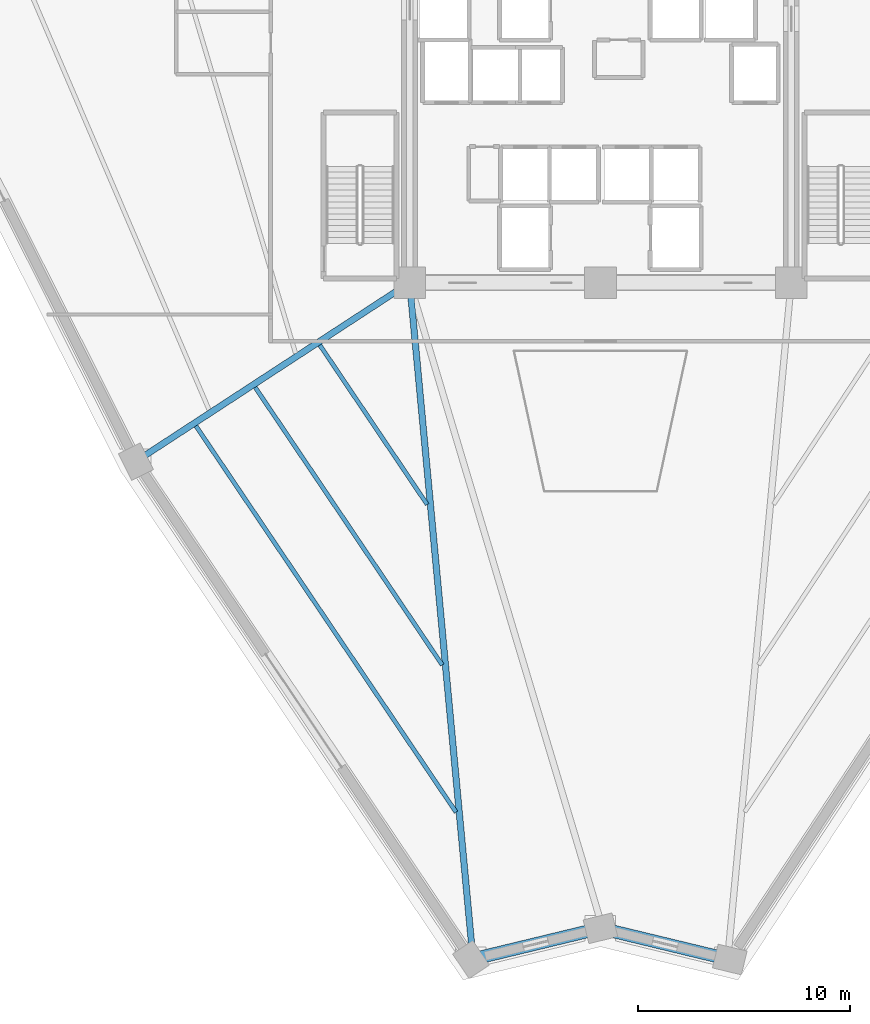
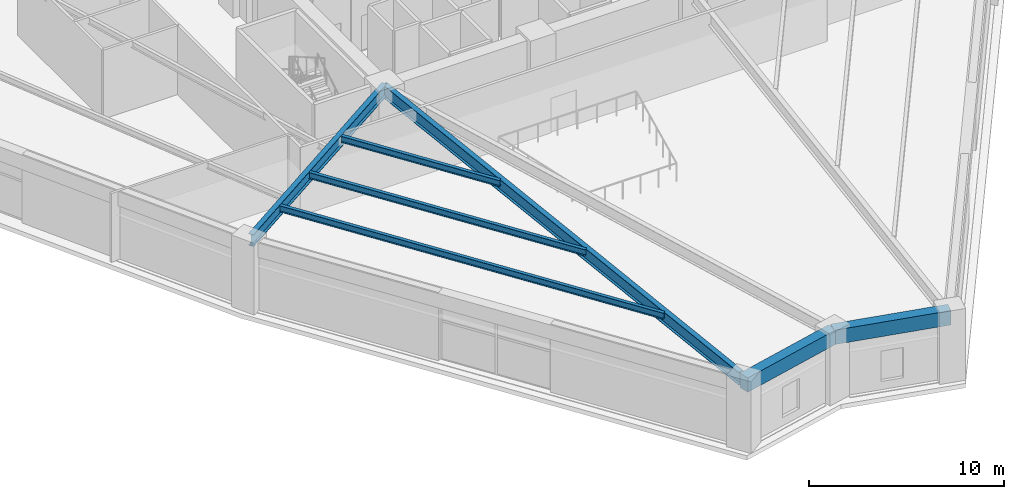
# One storey, part 3 of 30: 7 beams.
"""IFC4 building model written with IfcOpenShell, lengths in metres."""

from ifc_helpers import new_model, si_unit, direction, frame, origin, origin_2d, place, context, subcontext, project, spatial, rectangle, i_section, extrude, source, transform, mapped, material, material_profile, profile_set, type_object, element, save


model = new_model("IFC4")

# Units and contexts
model_context = context("Model", 3, precision=1e-05, world=origin(), true_north=direction((0.0, 1.0)))
body_context = subcontext(model_context, "Body", "Model", "MODEL_VIEW")
ifc_project = project(units=[si_unit("LENGTHUNIT", "METRE"), si_unit("AREAUNIT", "SQUARE_METRE"), si_unit("VOLUMEUNIT", "CUBIC_METRE"), si_unit("PLANEANGLEUNIT", "RADIAN"), si_unit("MASSUNIT", "GRAM", prefix="KILO")], contexts=[model_context])

# Site, building, storey
site_placement = place(None, origin())
site = spatial("IfcSite", under=ifc_project, at=site_placement, CompositionType="ELEMENT")
building_placement = place(site_placement, origin())
building = spatial("IfcBuilding", under=site, at=building_placement, Name="Liaohun Quay Tower", CompositionType="ELEMENT")
storey_placement = place(building_placement, frame((0.0, 0.0, 97.5)))
storey = spatial("IfcBuildingStorey", under=building, at=storey_placement, Name="L25", CompositionType="ELEMENT", Elevation=97.5)

# Beams
ifc_material_1 = material(Name="Precast concrete C55", Category="concrete")
ifc_material_profile_1 = material_profile(ifc_material_1, rectangle(XDim=0.60009765625, YDim=0.89990234375, at=origin_2d()), Name="RC600x900")
ifc_profile_set_1 = profile_set([ifc_material_profile_1], Name="Precast concrete C55")
beam_type_1 = type_object("IfcBeamType", Name="BM-SPD-Z2", PredefinedType="SPANDREL", material=ifc_profile_set_1)
shared_shape_1 = source(origin(), body_context, "Body", "SweptSolid", [
    extrude(rectangle(XDim=0.60009765625, YDim=0.89990234375, at=origin_2d()), origin(), (0.0, 0.0, 1.0), 6.2763671875),
])
beam_1_placement = place(storey_placement, frame((66.10107421875, 14.570068359375, 3.8701171875), z_axis=(-0.972073947499, 0.234674754912, 0.0), x_axis=(-0.234674754912, -0.972073947499, 0.0)))
element("IfcBeam", 1, at=beam_1_placement, inside=storey, type_object=beam_type_1, Name="L25 Precast Spandrel Beam PC11-PC12", PredefinedType="SPANDREL", context=body_context, shape_type="MappedRepresentation", body=[
    mapped(shared_shape_1, transform((0.0, 0.0, 0.0), x_axis=(1.0, 0.0, 0.0), y_axis=(0.0, 1.0, 0.0), z_axis=(0.0, 0.0, 1.0), scale=1.0)),
])
shared_shape_2 = source(origin(), body_context, "Body", "SweptSolid", [
    extrude(rectangle(XDim=0.60009765625, YDim=0.89990234375, at=origin_2d()), origin(), (0.0, 0.0, 1.0), 6.283447265625),
])
beam_2_placement = place(storey_placement, frame((60.0, 16.04296875, 3.8701171875), z_axis=(-0.972062952657, -0.234720293269, 0.0), x_axis=(0.234720293269, -0.972062952657, 0.0)))
element("IfcBeam", 2, at=beam_2_placement, inside=storey, type_object=beam_type_1, Name="L25 Precast Spandrel Beam PC12-PC01", PredefinedType="SPANDREL", context=body_context, shape_type="MappedRepresentation", body=[
    mapped(shared_shape_2, transform((0.0, 0.0, 0.0), x_axis=(1.0, 0.0, 0.0), y_axis=(0.0, 1.0, 0.0), z_axis=(0.0, 0.0, 1.0), scale=1.0)),
])
ifc_material_2 = material(Name="Steel Q355D", Category="steel")
ifc_material_profile_2 = material_profile(ifc_material_2, i_section(OverallWidth=0.300048828125, OverallDepth=0.800048828125, WebThickness=0.013916015625, FlangeThickness=0.02587890625, at=origin_2d()), Name="HN800x300x14x26")
ifc_profile_set_2 = profile_set([ifc_material_profile_2], Name="Steel Q355D")
beam_type_2 = type_object("IfcBeamType", Name="BM-RAD-M1", PredefinedType="BEAM", material=ifc_profile_set_2)
shared_shape_3 = source(origin(), body_context, "Body", "SweptSolid", [
    extrude(i_section(OverallWidth=0.300048828125, OverallDepth=0.800048828125, WebThickness=0.013916015625, FlangeThickness=0.02587890625, at=origin_2d()), origin(), (0.0, 0.0, 1.0), 31.68701171875),
])
beam_3_placement = place(storey_placement, frame((51.0, 46.5, 3.919921875), z_axis=(0.093227337297, -0.995644848116, 0.0), x_axis=(0.995644848116, 0.093227337297, 0.0)))
element("IfcBeam", 3, at=beam_3_placement, inside=storey, type_object=beam_type_2, Name="L25 Radial Primary Girder CC1-PC01", PredefinedType="BEAM", context=body_context, shape_type="MappedRepresentation", body=[
    mapped(shared_shape_3, transform((0.0, 0.0, 0.0), x_axis=(1.0, 0.0, 0.0), y_axis=(0.0, 1.0, 0.0), z_axis=(0.0, 0.0, 1.0), scale=1.0)),
])
ifc_material_profile_3 = material_profile(ifc_material_2, i_section(OverallWidth=0.300048828125, OverallDepth=0.75, WebThickness=0.013916015625, FlangeThickness=0.02587890625, at=origin_2d()), Name="HN750x300x14x26")
ifc_profile_set_3 = profile_set([ifc_material_profile_3], Name="Steel Q355D")
beam_type_3 = type_object("IfcBeamType", Name="BM-RAD-M2", PredefinedType="BEAM", material=ifc_profile_set_3)
shared_shape_4 = source(origin(), body_context, "Body", "SweptSolid", [
    extrude(i_section(OverallWidth=0.300048828125, OverallDepth=0.75, WebThickness=0.013916015625, FlangeThickness=0.02587890625, at=origin_2d()), origin(), (0.0, 0.0, 1.0), 15.175537109375),
])
beam_4_placement = place(storey_placement, frame((51.0, 46.5, 3.945068359375), z_axis=(-0.837396741296, -0.546595552184, 0.0), x_axis=(0.546595552184, -0.837396741296, 0.0)))
element("IfcBeam", 4, at=beam_4_placement, inside=storey, type_object=beam_type_3, Name="L25 Radial Primary Girder CC1-PC02", PredefinedType="BEAM", context=body_context, shape_type="MappedRepresentation", body=[
    mapped(shared_shape_4, transform((0.0, 0.0, 0.0), x_axis=(1.0, 0.0, 0.0), y_axis=(0.0, 1.0, 0.0), z_axis=(0.0, 0.0, 1.0), scale=1.0)),
])
ifc_material_profile_4 = material_profile(ifc_material_2, i_section(OverallWidth=0.199951171875, OverallDepth=0.39990234375, WebThickness=0.008056640625, FlangeThickness=0.012939453125, at=origin_2d()), Name="HN400x200x8x13")
ifc_profile_set_4 = profile_set([ifc_material_profile_4], Name="Steel Q355D")
beam_type_4 = type_object("IfcBeamType", Name="BM-SEC-J2", PredefinedType="JOIST", material=ifc_profile_set_4)
shared_shape_5 = source(origin(), body_context, "Body", "SweptSolid", [
    extrude(i_section(OverallWidth=0.199951171875, OverallDepth=0.39990234375, WebThickness=0.008056640625, FlangeThickness=0.012939453125, at=origin_2d()), origin(), (0.0, 0.0, 1.0), 9.06884765625),
])
beam_5_placement = place(storey_placement, frame((51.8291015625, 36.032958984375, 4.1201171875), z_axis=(-0.55862645888, 0.829419362831, 0.0), x_axis=(-0.829419362831, -0.55862645888, 0.0)))
element("IfcBeam", 5, at=beam_5_placement, inside=storey, type_object=beam_type_4, Name="L25 Wing Secondary Floor Joist SJ-01", PredefinedType="JOIST", context=body_context, shape_type="MappedRepresentation", body=[
    mapped(shared_shape_5, transform((0.0, 0.0, 0.0), x_axis=(1.0, 0.0, 0.0), y_axis=(0.0, 1.0, 0.0), z_axis=(0.0, 0.0, 1.0), scale=1.0)),
])
shared_shape_6 = source(origin(), body_context, "Body", "SweptSolid", [
    extrude(i_section(OverallWidth=0.199951171875, OverallDepth=0.39990234375, WebThickness=0.008056640625, FlangeThickness=0.012939453125, at=origin_2d()), origin(), (0.0, 0.0, 1.0), 15.7978515625),
])
beam_6_placement = place(storey_placement, frame((52.5380859375, 28.4609375, 4.1201171875), z_axis=(-0.558631189676, 0.829416176549, 0.0), x_axis=(-0.829416176549, -0.558631189676, 0.0)))
element("IfcBeam", 6, at=beam_6_placement, inside=storey, type_object=beam_type_4, Name="L25 Wing Secondary Floor Joist SJ-02", PredefinedType="JOIST", context=body_context, shape_type="MappedRepresentation", body=[
    mapped(shared_shape_6, transform((0.0, 0.0, 0.0), x_axis=(1.0, 0.0, 0.0), y_axis=(0.0, 1.0, 0.0), z_axis=(0.0, 0.0, 1.0), scale=1.0)),
])
shared_shape_7 = source(origin(), body_context, "Body", "SweptSolid", [
    extrude(i_section(OverallWidth=0.199951171875, OverallDepth=0.39990234375, WebThickness=0.008056640625, FlangeThickness=0.012939453125, at=origin_2d()), origin(), (0.0, 0.0, 1.0), 21.966064453125),
])
beam_7_placement = place(storey_placement, frame((53.18798828125, 21.52099609375, 4.1201171875), z_axis=(-0.558633617235, 0.829414541526, 0.0), x_axis=(-0.829414541526, -0.558633617235, 0.0)))
element("IfcBeam", 7, at=beam_7_placement, inside=storey, type_object=beam_type_4, Name="L25 Wing Secondary Floor Joist SJ-03", PredefinedType="JOIST", context=body_context, shape_type="MappedRepresentation", body=[
    mapped(shared_shape_7, transform((0.0, 0.0, 0.0), x_axis=(1.0, 0.0, 0.0), y_axis=(0.0, 1.0, 0.0), z_axis=(0.0, 0.0, 1.0), scale=1.0)),
])

save(model, "model.ifc")
